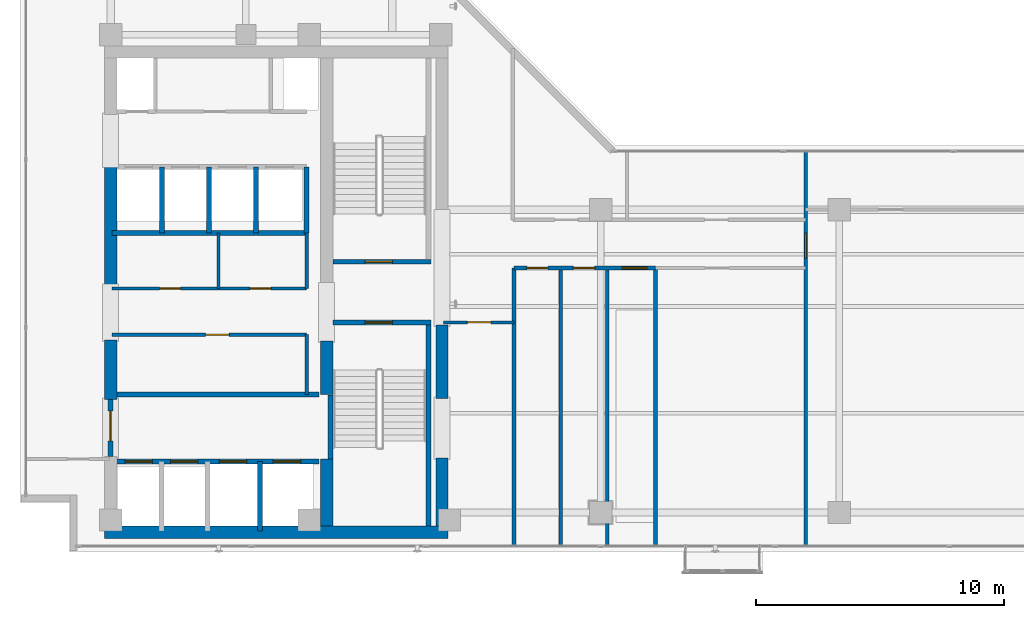
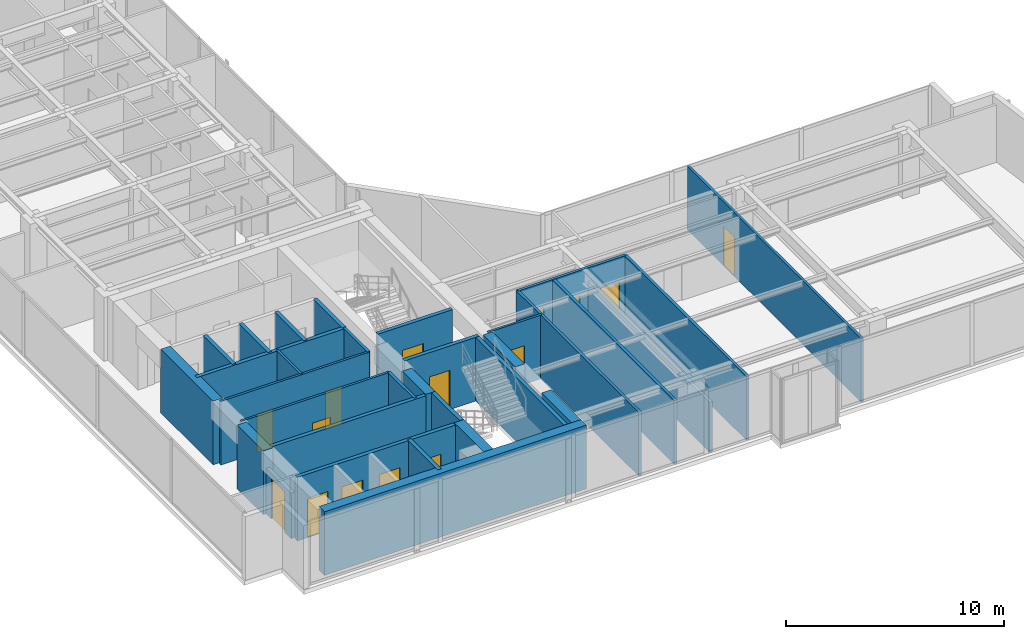
# One storey, part 17 of 22: 32 walls, 15 doors, 15 openings.
"""IFC4 building model written with IfcOpenShell, lengths in metres."""

from ifc_helpers import new_model, si_unit, direction, frame, frame_2d, origin, place, context, subcontext, project, spatial, rectangle, extrude, material, layer, layer_set, type_object, element, fill, save


model = new_model("IFC4")

# Units and contexts
model_context = context("Model", 3, precision=1e-05, world=origin(), true_north=direction((0.0, 1.0)))
body_context = subcontext(model_context, "Body", "Model", "MODEL_VIEW")
ifc_project = project(units=[si_unit("LENGTHUNIT", "METRE"), si_unit("AREAUNIT", "SQUARE_METRE"), si_unit("VOLUMEUNIT", "CUBIC_METRE"), si_unit("PLANEANGLEUNIT", "RADIAN"), si_unit("MASSUNIT", "GRAM", prefix="KILO")], contexts=[model_context])

# Site, building, storey
site_placement = place(None, origin())
site = spatial("IfcSite", under=ifc_project, at=site_placement, CompositionType="ELEMENT")
building_placement = place(site_placement, origin())
building = spatial("IfcBuilding", under=site, at=building_placement, Name="Kolvaren Waterfront Exchange", CompositionType="ELEMENT")
storey_placement = place(building_placement, frame((0.0, 0.0, 266.60009765625)))
storey = spatial("IfcBuildingStorey", under=building, at=storey_placement, Name="L68", CompositionType="ELEMENT", Elevation=266.60009765625)

# Wall, opening, door
ifc_material_1 = material(Name="Precast concrete C40/50", Category="concrete")
ifc_layer_1 = layer(ifc_material_1, 0.199951171875, Name="Precast concrete C40/50")
ifc_layer_set_1 = layer_set([ifc_layer_1], Name="Precast concrete C40/50")
wall_type_1 = type_object("IfcWallType", Name="ARC-FIRE-200", PredefinedType="PARTITIONING", material=ifc_layer_set_1)
wall_1_placement = place(storey_placement, frame((16.39990234375, 12.85009765625, 0.0), z_axis=(0.0, 0.0, 1.0), x_axis=(1.0, 0.0, 0.0)))
wall_1 = element("IfcWall", 1, at=wall_1_placement, inside=storey, type_object=wall_type_1, Name="L68 interior wall PW-L68-ST1-THROAT-S", PredefinedType="PARTITIONING", context=body_context, shape_type="SweptSolid", body=[
    extrude(rectangle(XDim=3.960205078125, YDim=0.199951171875, at=frame_2d((1.97998046875, 0.0))), origin(), (0.0, 0.0, 1.0), 3.559814453125),
])
opening_1_placement = place(wall_1_placement, frame((1.3037109375, 0.0, 0.0)))
opening_1 = element("IfcOpeningElement", 2, at=opening_1_placement, cuts=wall_1, Name="Opening FD2", PredefinedType="OPENING", context=body_context, shape_type="SweptSolid", body=[
    extrude(rectangle(XDim=1.10009765625, YDim=2.199951171875, at=frame_2d((0.550048828125, 1.10009765625))), frame((0.0, 0.10986328125, 0.0), z_axis=(0.0, -1.0, 0.0), x_axis=(1.0, 0.0, 0.0)), (0.0, 0.0, 1.0), 0.219970703125),
])
ifc_material_2 = material(Name="Pressed steel smoke-seal fire door", Category="steel")
door_type_1 = type_object("IfcDoorType", Name="ARC-FD-1100", OperationType="NOTDEFINED", PredefinedType="DOOR", material=ifc_material_2)
door_1_placement = place(opening_1_placement, frame((1.10009765625, 0.0, 0.0), z_axis=(0.0, 0.0, 1.0), x_axis=(-1.0, 0.0, 0.0)))
door_1 = element("IfcDoor", 3, at=door_1_placement, inside=storey, type_object=door_type_1, Name="L68 door DR-L68-ST1-IN (FD2)", OperationType="SINGLE_SWING_LEFT", OverallHeight=2.199951171875, OverallWidth=1.10009765625, PredefinedType="DOOR", context=body_context, shape_type="SweptSolid", body=[
    extrude(rectangle(XDim=1.10009765625, YDim=2.199951171875, at=frame_2d((0.550048828125, 1.10009765625))), frame((0.0, 0.02490234375, 0.0), z_axis=(0.0, -1.0, 0.0), x_axis=(1.0, 0.0, 0.0)), (0.0, 0.0, 1.0), 0.050048828125),
])
fill(opening_1, door_1)

wall_2_placement = place(storey_placement, frame((16.409912109375, 15.300048828125, 0.0), z_axis=(0.0, 0.0, 1.0), x_axis=(1.0, 0.0, 0.0)))
wall_2 = element("IfcWall", 4, at=wall_2_placement, inside=storey, type_object=wall_type_1, Name="L68 interior wall PW-L68-ST2-THROAT-N", PredefinedType="PARTITIONING", context=body_context, shape_type="SweptSolid", body=[
    extrude(rectangle(XDim=3.9501953125, YDim=0.199951171875, at=frame_2d((1.97509765625, 0.0))), origin(), (0.0, 0.0, 1.0), 3.559814453125),
])
opening_2_placement = place(wall_2_placement, frame((1.293701171875, 0.0, 0.0)))
opening_2 = element("IfcOpeningElement", 5, at=opening_2_placement, cuts=wall_2, Name="Opening FD2", PredefinedType="OPENING", context=body_context, shape_type="SweptSolid", body=[
    extrude(rectangle(XDim=1.10009765625, YDim=2.199951171875, at=frame_2d((0.550048828125, 1.10009765625))), frame((0.0, 0.10986328125, 0.0), z_axis=(0.0, -1.0, 0.0), x_axis=(1.0, 0.0, 0.0)), (0.0, 0.0, 1.0), 0.219970703125),
])
door_2_placement = place(opening_2_placement, origin())
door_2 = element("IfcDoor", 6, at=door_2_placement, inside=storey, type_object=door_type_1, Name="L68 door DR-L68-ST2-IN (FD2)", OperationType="SINGLE_SWING_RIGHT", OverallHeight=2.199951171875, OverallWidth=1.10009765625, PredefinedType="DOOR", context=body_context, shape_type="SweptSolid", body=[
    extrude(rectangle(XDim=1.10009765625, YDim=2.199951171875, at=frame_2d((0.550048828125, 1.10009765625))), frame((0.0, 0.02490234375, 0.0), z_axis=(0.0, -1.0, 0.0), x_axis=(1.0, 0.0, 0.0)), (0.0, 0.0, 1.0), 0.050048828125),
])
fill(opening_2, door_2)

# Wall
wall_3_placement = place(storey_placement, frame((7.5, 9.949951171875, 0.0), z_axis=(0.0, 0.0, 1.0), x_axis=(1.0, 0.0, 0.0)))
element("IfcWall", 7, at=wall_3_placement, inside=storey, type_object=wall_type_1, Name="L68 interior wall PW-L68-FF-N", PredefinedType="PARTITIONING", context=body_context, shape_type="SweptSolid", body=[
    extrude(rectangle(XDim=8.35009765625, YDim=0.199951171875, at=frame_2d((4.175048828125, 0.0))), origin(), (0.0, 0.0, 1.0), 3.559814453125),
])

# Wall, opening, door
wall_4_placement = place(storey_placement, frame((7.449951171875, 7.449951171875, 0.0), z_axis=(0.0, 0.0, 1.0), x_axis=(0.0, 1.0, 0.0)))
wall_4 = element("IfcWall", 8, at=wall_4_placement, inside=storey, type_object=wall_type_1, Name="L68 interior wall PW-L68-FF-W-DOOR", PredefinedType="PARTITIONING", context=body_context, shape_type="SweptSolid", body=[
    extrude(rectangle(XDim=2.300048828125, YDim=0.199951171875, at=frame_2d((1.14990234375, 0.0))), origin(), (0.0, 0.0, 1.0), 2.539794921875),
])
opening_3_placement = place(wall_4_placement, frame((0.63330078125, 0.0, 0.0)))
opening_3 = element("IfcOpeningElement", 9, at=opening_3_placement, cuts=wall_4, Name="Opening FD3", PredefinedType="OPENING", context=body_context, shape_type="SweptSolid", body=[
    extrude(rectangle(XDim=1.199951171875, YDim=2.25, at=frame_2d((0.60009765625, 1.125))), frame((0.0, 0.10986328125, 0.0), z_axis=(0.0, -1.0, 0.0), x_axis=(1.0, 0.0, 0.0)), (0.0, 0.0, 1.0), 0.219970703125),
])
ifc_material_3 = material(Name="Pressed steel fire door", Category="steel")
door_type_2 = type_object("IfcDoorType", Name="ARC-FD-1200", OperationType="NOTDEFINED", PredefinedType="DOOR", material=ifc_material_3)
door_3_placement = place(opening_3_placement, frame((1.199951171875, 0.0, 0.0), z_axis=(0.0, 0.0, 1.0), x_axis=(-1.0, 0.0, 0.0)))
door_3 = element("IfcDoor", 10, at=door_3_placement, inside=storey, type_object=door_type_2, Name="L68 door DR-L68-FF-OUT (FD3)", OperationType="SINGLE_SWING_LEFT", OverallHeight=2.25, OverallWidth=1.199951171875, PredefinedType="DOOR", context=body_context, shape_type="SweptSolid", body=[
    extrude(rectangle(XDim=1.199951171875, YDim=2.25, at=frame_2d((0.60009765625, 1.125))), frame((0.0, 0.02490234375, 0.0), z_axis=(0.0, -1.0, 0.0), x_axis=(1.0, 0.0, 0.0)), (0.0, 0.0, 1.0), 0.050048828125),
])
fill(opening_3, door_3)

ifc_material_4 = material(Name="Acoustic gypsum steel stud", Category="steel")
ifc_layer_2 = layer(ifc_material_4, 0.125, Name="Acoustic gypsum steel stud")
ifc_layer_set_2 = layer_set([ifc_layer_2], Name="Acoustic gypsum steel stud")
wall_type_2 = type_object("IfcWallType", Name="ARC-PART-125", PredefinedType="PARTITIONING", material=ifc_layer_set_2)
wall_5_placement = place(storey_placement, frame((7.5, 12.360107421875, 0.0), z_axis=(0.0, 0.0, 1.0), x_axis=(1.0, 0.0, 0.0)))
wall_5 = element("IfcWall", 11, at=wall_5_placement, inside=storey, type_object=wall_type_2, Name="L68 interior wall PW-L68-REC-HI-S", PredefinedType="PARTITIONING", context=body_context, shape_type="SweptSolid", body=[
    extrude(rectangle(XDim=7.85009765625, YDim=0.125, at=frame_2d((3.925048828125, 0.0))), origin(), (0.0, 0.0, 1.0), 3.559814453125),
])
opening_4_placement = place(wall_5_placement, frame((3.77490234375, 0.0, 0.0)))
opening_4 = element("IfcOpeningElement", 12, at=opening_4_placement, cuts=wall_5, Name="Opening D02", PredefinedType="OPENING", context=body_context, shape_type="SweptSolid", body=[
    extrude(rectangle(XDim=0.949951171875, YDim=2.14990234375, at=frame_2d((0.47509765625, 1.074951171875))), frame((0.0, 0.072509765625, 0.0), z_axis=(0.0, -1.0, 0.0), x_axis=(1.0, 0.0, 0.0)), (0.0, 0.0, 1.0), 0.14501953125),
])
ifc_material_5 = material(Name="Oak veneer acoustic timber", Category="wood")
door_type_3 = type_object("IfcDoorType", Name="ARC-DR-950", OperationType="NOTDEFINED", PredefinedType="DOOR", material=ifc_material_5)
door_4_placement = place(opening_4_placement, origin())
door_4 = element("IfcDoor", 13, at=door_4_placement, inside=storey, type_object=door_type_3, Name="L68 door DR-L68-REC-HI-D1 (D02)", OperationType="SINGLE_SWING_RIGHT", OverallHeight=2.14990234375, OverallWidth=0.949951171875, PredefinedType="DOOR", context=body_context, shape_type="SweptSolid", body=[
    extrude(rectangle(XDim=0.949951171875, YDim=2.14990234375, at=frame_2d((0.47509765625, 1.074951171875))), frame((0.0, 0.02490234375, 0.0), z_axis=(0.0, -1.0, 0.0), x_axis=(1.0, 0.0, 0.0)), (0.0, 0.0, 1.0), 0.050048828125),
])
fill(opening_4, door_4)

# Wall, openings, doors
wall_6_placement = place(storey_placement, frame((7.5, 14.219970703125, 0.0), z_axis=(0.0, 0.0, 1.0), x_axis=(1.0, 0.0, 0.0)))
wall_6 = element("IfcWall", 14, at=wall_6_placement, inside=storey, type_object=wall_type_2, Name="L68 interior wall PW-L68-REC-HI-N", PredefinedType="PARTITIONING", context=body_context, shape_type="SweptSolid", body=[
    extrude(rectangle(XDim=7.85009765625, YDim=0.125, at=frame_2d((3.925048828125, 0.0))), origin(), (0.0, 0.0, 1.0), 3.559814453125),
])
opening_5_placement = place(wall_6_placement, frame((1.925048828125, 0.0, 0.0)))
opening_5 = element("IfcOpeningElement", 15, at=opening_5_placement, cuts=wall_6, Name="Opening D01", PredefinedType="OPENING", context=body_context, shape_type="SweptSolid", body=[
    extrude(rectangle(XDim=0.85009765625, YDim=2.14990234375, at=frame_2d((0.425048828125, 1.074951171875))), frame((0.0, 0.072509765625, 0.0), z_axis=(0.0, -1.0, 0.0), x_axis=(1.0, 0.0, 0.0)), (0.0, 0.0, 1.0), 0.14501953125),
])
opening_6_placement = place(wall_6_placement, frame((5.56298828125, 0.0, 0.0)))
opening_6 = element("IfcOpeningElement", 16, at=opening_6_placement, cuts=wall_6, Name="Opening D01", PredefinedType="OPENING", context=body_context, shape_type="SweptSolid", body=[
    extrude(rectangle(XDim=0.85009765625, YDim=2.14990234375, at=frame_2d((0.425048828125, 1.074951171875))), frame((0.0, 0.072509765625, 0.0), z_axis=(0.0, -1.0, 0.0), x_axis=(1.0, 0.0, 0.0)), (0.0, 0.0, 1.0), 0.14501953125),
])
ifc_material_6 = material(Name="Oak veneer timber leaf", Category="wood")
door_type_4 = type_object("IfcDoorType", Name="ARC-DR-900", OperationType="NOTDEFINED", PredefinedType="DOOR", material=ifc_material_6)
door_5_placement = place(opening_5_placement, origin())
door_5 = element("IfcDoor", 17, at=door_5_placement, inside=storey, type_object=door_type_4, Name="L68 door DR-L68-REC-HI-D2 (D01)", OperationType="SINGLE_SWING_LEFT", OverallHeight=2.14990234375, OverallWidth=0.85009765625, PredefinedType="DOOR", context=body_context, shape_type="SweptSolid", body=[
    extrude(rectangle(XDim=0.85009765625, YDim=2.14990234375, at=frame_2d((0.425048828125, 1.074951171875))), frame((0.0, 0.02490234375, 0.0), z_axis=(0.0, -1.0, 0.0), x_axis=(1.0, 0.0, 0.0)), (0.0, 0.0, 1.0), 0.050048828125),
])
fill(opening_5, door_5)
door_6_placement = place(opening_6_placement, origin())
door_6 = element("IfcDoor", 18, at=door_6_placement, inside=storey, type_object=door_type_4, Name="L68 door DR-L68-REC-HI-D3 (D01)", OperationType="SINGLE_SWING_RIGHT", OverallHeight=2.14990234375, OverallWidth=0.85009765625, PredefinedType="DOOR", context=body_context, shape_type="SweptSolid", body=[
    extrude(rectangle(XDim=0.85009765625, YDim=2.14990234375, at=frame_2d((0.425048828125, 1.074951171875))), frame((0.0, 0.02490234375, 0.0), z_axis=(0.0, -1.0, 0.0), x_axis=(1.0, 0.0, 0.0)), (0.0, 0.0, 1.0), 0.050048828125),
])
fill(opening_6, door_6)

# Wall
wall_7_placement = place(storey_placement, frame((11.800048828125, 14.219970703125, 0.0), z_axis=(0.0, 0.0, 1.0), x_axis=(0.0, 1.0, 0.0)))
element("IfcWall", 19, at=wall_7_placement, inside=storey, type_object=wall_type_2, Name="L68 interior wall PW-L68-REC-HI-MN2", PredefinedType="PARTITIONING", context=body_context, shape_type="SweptSolid", body=[
    extrude(rectangle(XDim=2.22998046875, YDim=0.125, at=frame_2d((1.114990234375, 0.0))), origin(), (0.0, 0.0, 1.0), 3.559814453125),
])

# Wall, opening, door
wall_8_placement = place(storey_placement, frame((20.85009765625, 12.860107421875, 0.0), z_axis=(0.0, 0.0, 1.0), x_axis=(1.0, 0.0, 0.0)))
wall_8 = element("IfcWall", 20, at=wall_8_placement, inside=storey, type_object=wall_type_2, Name="L68 interior wall PW-L68-SWST3-N", PredefinedType="PARTITIONING", context=body_context, shape_type="SweptSolid", body=[
    extrude(rectangle(XDim=2.849853515625, YDim=0.125, at=frame_2d((1.4248046875, 0.0))), origin(), (0.0, 0.0, 1.0), 3.559814453125),
])
opening_7_placement = place(wall_8_placement, frame((0.971435546875, 0.0, 0.0)))
opening_7 = element("IfcOpeningElement", 21, at=opening_7_placement, cuts=wall_8, Name="Opening D02", PredefinedType="OPENING", context=body_context, shape_type="SweptSolid", body=[
    extrude(rectangle(XDim=0.949951171875, YDim=2.14990234375, at=frame_2d((0.47509765625, 1.074951171875))), frame((0.0, 0.072509765625, 0.0), z_axis=(0.0, -1.0, 0.0), x_axis=(1.0, 0.0, 0.0)), (0.0, 0.0, 1.0), 0.14501953125),
])
door_7_placement = place(opening_7_placement, origin())
door_7 = element("IfcDoor", 22, at=door_7_placement, inside=storey, type_object=door_type_3, Name="L68 door DR-L68-SWST3-D (D02)", OperationType="SINGLE_SWING_LEFT", OverallHeight=2.14990234375, OverallWidth=0.949951171875, PredefinedType="DOOR", context=body_context, shape_type="SweptSolid", body=[
    extrude(rectangle(XDim=0.949951171875, YDim=2.14990234375, at=frame_2d((0.47509765625, 1.074951171875))), frame((0.0, 0.02490234375, 0.0), z_axis=(0.0, -1.0, 0.0), x_axis=(1.0, 0.0, 0.0)), (0.0, 0.0, 1.0), 0.050048828125),
])
fill(opening_7, door_7)

wall_9_placement = place(storey_placement, frame((35.449951171875, 3.840087890625, 0.0), z_axis=(0.0, 0.0, 1.0), x_axis=(0.0, 1.0, 0.0)))
wall_9 = element("IfcWall", 23, at=wall_9_placement, inside=storey, type_object=wall_type_2, Name="L68 interior wall PW-L68-ETIP-W", PredefinedType="PARTITIONING", context=body_context, shape_type="SweptSolid", body=[
    extrude(rectangle(XDim=15.919921875, YDim=0.125, at=frame_2d((7.9599609375, 0.0))), origin(), (0.0, 0.0, 1.0), 3.559814453125),
])
opening_8_placement = place(wall_9_placement, frame((11.610107421875, 0.0, 0.0)))
opening_8 = element("IfcOpeningElement", 24, at=opening_8_placement, cuts=wall_9, Name="Opening D03", PredefinedType="OPENING", context=body_context, shape_type="SweptSolid", body=[
    extrude(rectangle(XDim=1.0, YDim=2.199951171875, at=frame_2d((0.5, 1.10009765625))), frame((0.0, 0.072509765625, 0.0), z_axis=(0.0, -1.0, 0.0), x_axis=(1.0, 0.0, 0.0)), (0.0, 0.0, 1.0), 0.14501953125),
])
ifc_material_7 = material(Name="Oak veneer accessible timber", Category="wood")
door_type_5 = type_object("IfcDoorType", Name="ARC-DR-1000", OperationType="NOTDEFINED", PredefinedType="DOOR", material=ifc_material_7)
door_8_placement = place(opening_8_placement, origin())
door_8 = element("IfcDoor", 25, at=door_8_placement, inside=storey, type_object=door_type_5, Name="L68 door DR-L68-ETIP1-D (D03)", OperationType="SINGLE_SWING_LEFT", OverallHeight=2.199951171875, OverallWidth=1.0, PredefinedType="DOOR", context=body_context, shape_type="SweptSolid", body=[
    extrude(rectangle(XDim=1.0, YDim=2.199951171875, at=frame_2d((0.5, 1.10009765625))), frame((0.0, 0.02490234375, 0.0), z_axis=(0.0, -1.0, 0.0), x_axis=(1.0, 0.0, 0.0)), (0.0, 0.0, 1.0), 0.050048828125),
])
fill(opening_8, door_8)

# Walls
ifc_material_8 = material(Name="Gypsum fireboard steel stud", Category="steel")
ifc_layer_3 = layer(ifc_material_8, 0.14990234375, Name="Gypsum fireboard steel stud")
ifc_layer_set_3 = layer_set([ifc_layer_3], Name="Gypsum fireboard steel stud")
wall_type_3 = type_object("IfcWallType", Name="ARC-PART-150", PredefinedType="PARTITIONING", material=ifc_layer_set_3)
wall_10_placement = place(storey_placement, frame((15.35009765625, 9.949951171875, 0.0), z_axis=(0.0, 0.0, 1.0), x_axis=(0.0, 1.0, 0.0)))
element("IfcWall", 26, at=wall_10_placement, inside=storey, type_object=wall_type_3, Name="L68 interior wall PW-L68-REC-HI-E1", PredefinedType="PARTITIONING", context=body_context, shape_type="SweptSolid", body=[
    extrude(rectangle(XDim=2.41015625, YDim=0.14990234375, at=frame_2d((1.205078125, 0.0))), origin(), (0.0, 0.0, 1.0), 3.559814453125),
])
wall_11_placement = place(storey_placement, frame((15.35009765625, 14.219970703125, 0.0), z_axis=(0.0, 0.0, 1.0), x_axis=(0.0, 1.0, 0.0)))
element("IfcWall", 27, at=wall_11_placement, inside=storey, type_object=wall_type_3, Name="L68 interior wall PW-L68-REC-HI-E2", PredefinedType="PARTITIONING", context=body_context, shape_type="SweptSolid", body=[
    extrude(rectangle(XDim=2.22998046875, YDim=0.14990234375, at=frame_2d((1.114990234375, 0.0))), origin(), (0.0, 0.0, 1.0), 3.559814453125),
])
ifc_material_9 = material(Name="Moisture-resistant gypsum stud")
ifc_layer_4 = layer(ifc_material_9, 0.14990234375, Name="Moisture-resistant gypsum stud")
ifc_layer_set_4 = layer_set([ifc_layer_4], Name="Moisture-resistant gypsum stud")
wall_type_4 = type_object("IfcWallType", Name="ARC-PLUMB-150", PredefinedType="PLUMBINGWALL", material=ifc_layer_set_4)
wall_12_placement = place(storey_placement, frame((23.699951171875, 3.840087890625, 0.0), z_axis=(0.0, 0.0, 1.0), x_axis=(0.0, 1.0, 0.0)))
element("IfcWall", 28, at=wall_12_placement, inside=storey, type_object=wall_type_4, Name="L68 interior wall PW-L68-WC-0", PredefinedType="PLUMBINGWALL", context=body_context, shape_type="SweptSolid", body=[
    extrude(rectangle(XDim=11.2099609375, YDim=0.14990234375, at=frame_2d((5.60498046875, 0.0))), origin(), (0.0, 0.0, 1.0), 3.559814453125),
])

# Wall, openings, doors
wall_13_placement = place(storey_placement, frame((23.699951171875, 15.050048828125, 0.0), z_axis=(0.0, 0.0, 1.0), x_axis=(1.0, 0.0, 0.0)))
wall_13 = element("IfcWall", 29, at=wall_13_placement, inside=storey, type_object=wall_type_4, Name="L68 interior wall PW-L68-WC-N", PredefinedType="PLUMBINGWALL", context=body_context, shape_type="SweptSolid", body=[
    extrude(rectangle(XDim=5.699951171875, YDim=0.14990234375, at=frame_2d((2.85009765625, 0.0))), origin(), (0.0, 0.0, 1.0), 3.559814453125),
])
opening_9_placement = place(wall_13_placement, frame((0.514892578125, 0.0, 0.0)))
opening_9 = element("IfcOpeningElement", 30, at=opening_9_placement, cuts=wall_13, Name="Opening D01", PredefinedType="OPENING", context=body_context, shape_type="SweptSolid", body=[
    extrude(rectangle(XDim=0.85009765625, YDim=2.14990234375, at=frame_2d((0.425048828125, 1.074951171875))), frame((0.0, 0.0849609375, 0.0), z_axis=(0.0, -1.0, 0.0), x_axis=(1.0, 0.0, 0.0)), (0.0, 0.0, 1.0), 0.169921875),
])
opening_10_placement = place(wall_13_placement, frame((2.39501953125, 0.0, 0.0)))
opening_10 = element("IfcOpeningElement", 31, at=opening_10_placement, cuts=wall_13, Name="Opening D01", PredefinedType="OPENING", context=body_context, shape_type="SweptSolid", body=[
    extrude(rectangle(XDim=0.85009765625, YDim=2.14990234375, at=frame_2d((0.425048828125, 1.074951171875))), frame((0.0, 0.0849609375, 0.0), z_axis=(0.0, -1.0, 0.0), x_axis=(1.0, 0.0, 0.0)), (0.0, 0.0, 1.0), 0.169921875),
])
opening_11_placement = place(wall_13_placement, frame((4.35009765625, 0.0, 0.0)))
opening_11 = element("IfcOpeningElement", 32, at=opening_11_placement, cuts=wall_13, Name="Opening D03", PredefinedType="OPENING", context=body_context, shape_type="SweptSolid", body=[
    extrude(rectangle(XDim=1.0, YDim=2.199951171875, at=frame_2d((0.5, 1.10009765625))), frame((0.0, 0.0849609375, 0.0), z_axis=(0.0, -1.0, 0.0), x_axis=(1.0, 0.0, 0.0)), (0.0, 0.0, 1.0), 0.169921875),
])
door_9_placement = place(opening_11_placement, origin())
door_9 = element("IfcDoor", 33, at=door_9_placement, inside=storey, type_object=door_type_5, Name="L68 door DR-L68-WCA-D (D03)", OperationType="SINGLE_SWING_LEFT", OverallHeight=2.199951171875, OverallWidth=1.0, PredefinedType="DOOR", context=body_context, shape_type="SweptSolid", body=[
    extrude(rectangle(XDim=1.0, YDim=2.199951171875, at=frame_2d((0.5, 1.10009765625))), frame((0.0, 0.02490234375, 0.0), z_axis=(0.0, -1.0, 0.0), x_axis=(1.0, 0.0, 0.0)), (0.0, 0.0, 1.0), 0.050048828125),
])
fill(opening_11, door_9)
door_10_placement = place(opening_9_placement, origin())
door_10 = element("IfcDoor", 34, at=door_10_placement, inside=storey, type_object=door_type_4, Name="L68 door DR-L68-WCM-D (D01)", OperationType="SINGLE_SWING_LEFT", OverallHeight=2.14990234375, OverallWidth=0.85009765625, PredefinedType="DOOR", context=body_context, shape_type="SweptSolid", body=[
    extrude(rectangle(XDim=0.85009765625, YDim=2.14990234375, at=frame_2d((0.425048828125, 1.074951171875))), frame((0.0, 0.02490234375, 0.0), z_axis=(0.0, -1.0, 0.0), x_axis=(1.0, 0.0, 0.0)), (0.0, 0.0, 1.0), 0.050048828125),
])
fill(opening_9, door_10)
door_11_placement = place(opening_10_placement, origin())
door_11 = element("IfcDoor", 35, at=door_11_placement, inside=storey, type_object=door_type_4, Name="L68 door DR-L68-WCF-D (D01)", OperationType="SINGLE_SWING_RIGHT", OverallHeight=2.14990234375, OverallWidth=0.85009765625, PredefinedType="DOOR", context=body_context, shape_type="SweptSolid", body=[
    extrude(rectangle(XDim=0.85009765625, YDim=2.14990234375, at=frame_2d((0.425048828125, 1.074951171875))), frame((0.0, 0.02490234375, 0.0), z_axis=(0.0, -1.0, 0.0), x_axis=(1.0, 0.0, 0.0)), (0.0, 0.0, 1.0), 0.050048828125),
])
fill(opening_10, door_11)

# Walls
wall_14_placement = place(storey_placement, frame((25.580078125, 3.840087890625, 0.0), z_axis=(0.0, 0.0, 1.0), x_axis=(0.0, 1.0, 0.0)))
element("IfcWall", 36, at=wall_14_placement, inside=storey, type_object=wall_type_4, Name="L68 interior wall PW-L68-WC-1", PredefinedType="PLUMBINGWALL", context=body_context, shape_type="SweptSolid", body=[
    extrude(rectangle(XDim=11.2099609375, YDim=0.14990234375, at=frame_2d((5.60498046875, 0.0))), origin(), (0.0, 0.0, 1.0), 3.559814453125),
])
wall_15_placement = place(storey_placement, frame((27.4599609375, 3.840087890625, 0.0), z_axis=(0.0, 0.0, 1.0), x_axis=(0.0, 1.0, 0.0)))
element("IfcWall", 37, at=wall_15_placement, inside=storey, type_object=wall_type_4, Name="L68 interior wall PW-L68-WC-2", PredefinedType="PLUMBINGWALL", context=body_context, shape_type="SweptSolid", body=[
    extrude(rectangle(XDim=11.2099609375, YDim=0.14990234375, at=frame_2d((5.60498046875, 0.0))), origin(), (0.0, 0.0, 1.0), 2.7978515625),
])
wall_16_placement = place(storey_placement, frame((29.39990234375, 3.840087890625, 0.0), z_axis=(0.0, 0.0, 1.0), x_axis=(0.0, 1.0, 0.0)))
element("IfcWall", 38, at=wall_16_placement, inside=storey, type_object=wall_type_4, Name="L68 interior wall PW-L68-WC-3", PredefinedType="PLUMBINGWALL", context=body_context, shape_type="SweptSolid", body=[
    extrude(rectangle(XDim=11.2099609375, YDim=0.14990234375, at=frame_2d((5.60498046875, 0.0))), origin(), (0.0, 0.0, 1.0), 3.559814453125),
])
ifc_material_10 = material(Name="Concrete C40/50", Category="concrete")
ifc_layer_5 = layer(ifc_material_10, 0.199951171875, Name="Concrete C40/50")
ifc_layer_set_5 = layer_set([ifc_layer_5], Name="Concrete C40/50")
wall_type_5 = type_object("IfcWallType", Name="ARC-SHAFT-200", PredefinedType="PARTITIONING", material=ifc_layer_set_5)
wall_17_placement = place(storey_placement, frame((16.300048828125, 7.360107421875, 0.0), z_axis=(0.0, 0.0, 1.0), x_axis=(0.0, 1.0, 0.0)))
element("IfcWall", 39, at=wall_17_placement, inside=storey, type_object=wall_type_5, Name="L68 structural stairwell wall PW-L68-ST1-W", PredefinedType="SHEAR", context=body_context, shape_type="SweptSolid", body=[
    extrude(rectangle(XDim=2.579833984375, YDim=0.199951171875, at=frame_2d((1.2900390625, 0.0))), origin(), (0.0, 0.0, 1.0), 3.559814453125),
])
wall_18_placement = place(storey_placement, frame((20.260009765625, 4.659912109375, 0.0), z_axis=(0.0, 0.0, 1.0), x_axis=(0.0, 1.0, 0.0)))
element("IfcWall", 40, at=wall_18_placement, inside=storey, type_object=wall_type_5, Name="L68 structural stairwell wall PW-L68-ST1-E", PredefinedType="SHEAR", context=body_context, shape_type="SweptSolid", body=[
    extrude(rectangle(XDim=8.090087890625, YDim=0.199951171875, at=frame_2d((4.044921875, 0.0))), origin(), (0.0, 0.0, 1.0), 3.559814453125),
])

# Wall, openings, doors
wall_19_placement = place(storey_placement, frame((7.5, 7.25, 0.0), z_axis=(0.0, 0.0, 1.0), x_axis=(1.0, 0.0, 0.0)))
wall_19 = element("IfcWall", 41, at=wall_19_placement, inside=storey, type_object=wall_type_5, Name="L68 interior wall PW-L68-FF-S", PredefinedType="PARTITIONING", context=body_context, shape_type="SweptSolid", body=[
    extrude(rectangle(XDim=8.35009765625, YDim=0.199951171875, at=frame_2d((4.175048828125, 0.0))), origin(), (0.0, 0.0, 1.0), 3.559814453125),
])
opening_12_placement = place(wall_19_placement, frame((0.530029296875, 0.0, 0.0)))
opening_12 = element("IfcOpeningElement", 42, at=opening_12_placement, cuts=wall_19, Name="Opening LD1", PredefinedType="OPENING", context=body_context, shape_type="SweptSolid", body=[
    extrude(rectangle(XDim=1.10009765625, YDim=2.199951171875, at=frame_2d((0.550048828125, 1.10009765625))), frame((0.0, 0.10986328125, 0.0), z_axis=(0.0, -1.0, 0.0), x_axis=(1.0, 0.0, 0.0)), (0.0, 0.0, 1.0), 0.219970703125),
])
opening_13_placement = place(wall_19_placement, frame((2.3701171875, 0.0, 0.0)))
opening_13 = element("IfcOpeningElement", 43, at=opening_13_placement, cuts=wall_19, Name="Opening LD1", PredefinedType="OPENING", context=body_context, shape_type="SweptSolid", body=[
    extrude(rectangle(XDim=1.10009765625, YDim=2.199951171875, at=frame_2d((0.550048828125, 1.10009765625))), frame((0.0, 0.10986328125, 0.0), z_axis=(0.0, -1.0, 0.0), x_axis=(1.0, 0.0, 0.0)), (0.0, 0.0, 1.0), 0.219970703125),
])
opening_14_placement = place(wall_19_placement, frame((4.330078125, 0.0, 0.0)))
opening_14 = element("IfcOpeningElement", 44, at=opening_14_placement, cuts=wall_19, Name="Opening LD1", PredefinedType="OPENING", context=body_context, shape_type="SweptSolid", body=[
    extrude(rectangle(XDim=1.10009765625, YDim=2.199951171875, at=frame_2d((0.550048828125, 1.10009765625))), frame((0.0, 0.10986328125, 0.0), z_axis=(0.0, -1.0, 0.0), x_axis=(1.0, 0.0, 0.0)), (0.0, 0.0, 1.0), 0.219970703125),
])
opening_15_placement = place(wall_19_placement, frame((6.5, 0.0, 0.0)))
opening_15 = element("IfcOpeningElement", 45, at=opening_15_placement, cuts=wall_19, Name="Opening LD1", PredefinedType="OPENING", context=body_context, shape_type="SweptSolid", body=[
    extrude(rectangle(XDim=1.10009765625, YDim=2.199951171875, at=frame_2d((0.550048828125, 1.10009765625))), frame((0.0, 0.10986328125, 0.0), z_axis=(0.0, -1.0, 0.0), x_axis=(1.0, 0.0, 0.0)), (0.0, 0.0, 1.0), 0.219970703125),
])
ifc_material_11 = material(Name="Stainless steel sliding landing door", Category="steel")
door_type_6 = type_object("IfcDoorType", Name="ARC-LD-FF", OperationType="SLIDING_TO_LEFT", PredefinedType="DOOR", material=ifc_material_11)
door_12_placement = place(opening_12_placement, origin())
door_12 = element("IfcDoor", 46, at=door_12_placement, inside=storey, type_object=door_type_6, Name="L68 door LD-L68-FFL1 (LD1)", OperationType="SLIDING_TO_LEFT", OverallHeight=2.199951171875, OverallWidth=1.10009765625, PredefinedType="DOOR", context=body_context, shape_type="SweptSolid", body=[
    extrude(rectangle(XDim=1.10009765625, YDim=2.199951171875, at=frame_2d((0.550048828125, 1.10009765625))), frame((0.0, 0.02490234375, 0.0), z_axis=(0.0, -1.0, 0.0), x_axis=(1.0, 0.0, 0.0)), (0.0, 0.0, 1.0), 0.050048828125),
])
fill(opening_12, door_12)
door_13_placement = place(opening_13_placement, origin())
door_13 = element("IfcDoor", 47, at=door_13_placement, inside=storey, type_object=door_type_6, Name="L68 door LD-L68-FFL2 (LD1)", OperationType="SLIDING_TO_LEFT", OverallHeight=2.199951171875, OverallWidth=1.10009765625, PredefinedType="DOOR", context=body_context, shape_type="SweptSolid", body=[
    extrude(rectangle(XDim=1.10009765625, YDim=2.199951171875, at=frame_2d((0.550048828125, 1.10009765625))), frame((0.0, 0.02490234375, 0.0), z_axis=(0.0, -1.0, 0.0), x_axis=(1.0, 0.0, 0.0)), (0.0, 0.0, 1.0), 0.050048828125),
])
fill(opening_13, door_13)
door_14_placement = place(opening_14_placement, origin())
door_14 = element("IfcDoor", 48, at=door_14_placement, inside=storey, type_object=door_type_6, Name="L68 door LD-L68-GL1 (LD1)", OperationType="SLIDING_TO_LEFT", OverallHeight=2.199951171875, OverallWidth=1.10009765625, PredefinedType="DOOR", context=body_context, shape_type="SweptSolid", body=[
    extrude(rectangle(XDim=1.10009765625, YDim=2.199951171875, at=frame_2d((0.550048828125, 1.10009765625))), frame((0.0, 0.02490234375, 0.0), z_axis=(0.0, -1.0, 0.0), x_axis=(1.0, 0.0, 0.0)), (0.0, 0.0, 1.0), 0.050048828125),
])
fill(opening_14, door_14)
door_15_placement = place(opening_15_placement, origin())
door_15 = element("IfcDoor", 49, at=door_15_placement, inside=storey, type_object=door_type_6, Name="L68 door LD-L68-GL2 (LD1)", OperationType="SLIDING_TO_LEFT", OverallHeight=2.199951171875, OverallWidth=1.10009765625, PredefinedType="DOOR", context=body_context, shape_type="SweptSolid", body=[
    extrude(rectangle(XDim=1.10009765625, YDim=2.199951171875, at=frame_2d((0.550048828125, 1.10009765625))), frame((0.0, 0.02490234375, 0.0), z_axis=(0.0, -1.0, 0.0), x_axis=(1.0, 0.0, 0.0)), (0.0, 0.0, 1.0), 0.050048828125),
])
fill(opening_15, door_15)

# Walls
wall_20_placement = place(storey_placement, frame((13.4599609375, 4.449951171875, 0.0), z_axis=(0.0, 0.0, 1.0), x_axis=(0.0, 1.0, 0.0)))
element("IfcWall", 50, at=wall_20_placement, inside=storey, type_object=wall_type_5, Name="L68 interior wall PW-L68-SH1-DIV-134", PredefinedType="PARTITIONING", context=body_context, shape_type="SweptSolid", body=[
    extrude(rectangle(XDim=2.800048828125, YDim=0.199951171875, at=frame_2d((1.39990234375, 0.0))), origin(), (0.0, 0.0, 1.0), 3.559814453125),
])
wall_21_placement = place(storey_placement, frame((7.5, 16.449951171875, 0.0), z_axis=(0.0, 0.0, 1.0), x_axis=(1.0, 0.0, 0.0)))
element("IfcWall", 51, at=wall_21_placement, inside=storey, type_object=wall_type_5, Name="L68 interior wall PW-L68-REC-PM-N", PredefinedType="PARTITIONING", context=body_context, shape_type="SweptSolid", body=[
    extrude(rectangle(XDim=7.85009765625, YDim=0.199951171875, at=frame_2d((3.925048828125, 0.0))), origin(), (0.0, 0.0, 1.0), 3.559814453125),
])
for number, where, z_axis, x_axis, name in (
    (52, (15.35009765625, 16.449951171875, 0.0), (0.0, 0.0, 1.0), (0.0, 1.0, 0.0), "L68 interior wall PW-L68-PH-E"),
    (53, (9.52001953125, 16.449951171875, 0.0), (0.0, 0.0, 1.0), (0.0, 1.0, 0.0), "L68 interior wall PW-L68-SH4-DIV-95"),
    (54, (11.409912109375, 16.449951171875, 0.0), (0.0, 0.0, 1.0), (0.0, 1.0, 0.0), "L68 interior wall PW-L68-SH4-DIV-114"),
    (55, (13.300048828125, 16.449951171875, 0.0), (0.0, 0.0, 1.0), (0.0, 1.0, 0.0), "L68 interior wall PW-L68-SH4-DIV-133"),
):
    element("IfcWall", number, at=place(storey_placement, frame(where, z_axis=z_axis, x_axis=x_axis)), inside=storey, type_object=wall_type_5, Name=name, PredefinedType="PARTITIONING", context=body_context, shape_type="SweptSolid", body=[
        extrude(rectangle(XDim=2.670166015625, YDim=0.199951171875, at=frame_2d((1.3349609375, 0.0))), origin(), (0.0, 0.0, 1.0), 3.559814453125),
    ])
ifc_material_12 = material(Name="Concrete C50/60", Category="concrete")
ifc_layer_6 = layer(ifc_material_12, 0.5, Name="Concrete C50/60")
ifc_layer_set_6 = layer_set([ifc_layer_6], Name="Concrete C50/60")
wall_type_6 = type_object("IfcWallType", Name="STR-CWALL-500", PredefinedType="SHEAR", material=ifc_layer_set_6)
wall_22_placement = place(storey_placement, frame((7.199951171875, 4.39990234375, 0.0), z_axis=(0.0, 0.0, 1.0), x_axis=(1.0, 0.0, 0.0)))
element("IfcWall", 56, at=wall_22_placement, inside=storey, type_object=wall_type_6, Name="L68 rear-core shear wall S", PredefinedType="SHEAR", context=body_context, shape_type="SweptSolid", body=[
    extrude(rectangle(XDim=13.85009765625, YDim=0.5, at=frame_2d((6.925048828125, 0.0))), origin(), (0.0, 0.0, 1.0), 3.559814453125),
])
wall_23_placement = place(storey_placement, frame((7.449951171875, 9.75, 0.0), z_axis=(0.0, 0.0, 1.0), x_axis=(0.0, 1.0, 0.0)))
element("IfcWall", 57, at=wall_23_placement, inside=storey, type_object=wall_type_6, Name="L68 rear-core shear wall W2A", PredefinedType="SHEAR", context=body_context, shape_type="SweptSolid", body=[
    extrude(rectangle(XDim=2.39990234375, YDim=0.5, at=frame_2d((1.199951171875, 0.0))), origin(), (0.0, 0.0, 1.0), 3.559814453125),
])
wall_24_placement = place(storey_placement, frame((7.449951171875, 14.35009765625, 0.0), z_axis=(0.0, 0.0, 1.0), x_axis=(0.0, 1.0, 0.0)))
element("IfcWall", 58, at=wall_24_placement, inside=storey, type_object=wall_type_6, Name="L68 rear-core shear wall W2B", PredefinedType="SHEAR", context=body_context, shape_type="SweptSolid", body=[
    extrude(rectangle(XDim=4.809814453125, YDim=0.5, at=frame_2d((2.40478515625, 0.0))), origin(), (0.0, 0.0, 1.0), 3.559814453125),
])
wall_25_placement = place(storey_placement, frame((20.800048828125, 4.64990234375, 0.0), z_axis=(0.0, 0.0, 1.0), x_axis=(0.0, 1.0, 0.0)))
element("IfcWall", 59, at=wall_25_placement, inside=storey, type_object=wall_type_6, Name="L68 rear-core shear wall E1", PredefinedType="SHEAR", context=body_context, shape_type="SweptSolid", body=[
    extrude(rectangle(XDim=2.75, YDim=0.5, at=frame_2d((1.375, 0.0))), origin(), (0.0, 0.0, 1.0), 3.559814453125),
])
wall_26_placement = place(storey_placement, frame((20.800048828125, 9.800048828125, 0.0), z_axis=(0.0, 0.0, 1.0), x_axis=(0.0, 1.0, 0.0)))
element("IfcWall", 60, at=wall_26_placement, inside=storey, type_object=wall_type_6, Name="L68 rear-core shear wall E2", PredefinedType="SHEAR", context=body_context, shape_type="SweptSolid", body=[
    extrude(rectangle(XDim=2.949951171875, YDim=0.5, at=frame_2d((1.47509765625, 0.0))), origin(), (0.0, 0.0, 1.0), 3.559814453125),
])
wall_27_placement = place(storey_placement, frame((16.14990234375, 4.64990234375, 0.0), z_axis=(0.0, 0.0, 1.0), x_axis=(0.0, 1.0, 0.0)))
element("IfcWall", 61, at=wall_27_placement, inside=storey, type_object=wall_type_6, Name="L68 rear-core shear wall M1", PredefinedType="SHEAR", context=body_context, shape_type="SweptSolid", body=[
    extrude(rectangle(XDim=2.7001953125, YDim=0.5, at=frame_2d((1.35009765625, 0.0))), origin(), (0.0, 0.0, 1.0), 3.559814453125),
])
wall_28_placement = place(storey_placement, frame((16.14990234375, 9.949951171875, 0.0), z_axis=(0.0, 0.0, 1.0), x_axis=(0.0, 1.0, 0.0)))
element("IfcWall", 62, at=wall_28_placement, inside=storey, type_object=wall_type_6, Name="L68 rear-core shear wall M2", PredefinedType="SHEAR", context=body_context, shape_type="SweptSolid", body=[
    extrude(rectangle(XDim=2.150146484375, YDim=0.5, at=frame_2d((1.0751953125, 0.0))), origin(), (0.0, 0.0, 1.0), 3.559814453125),
])

save(model, "model.ifc")
